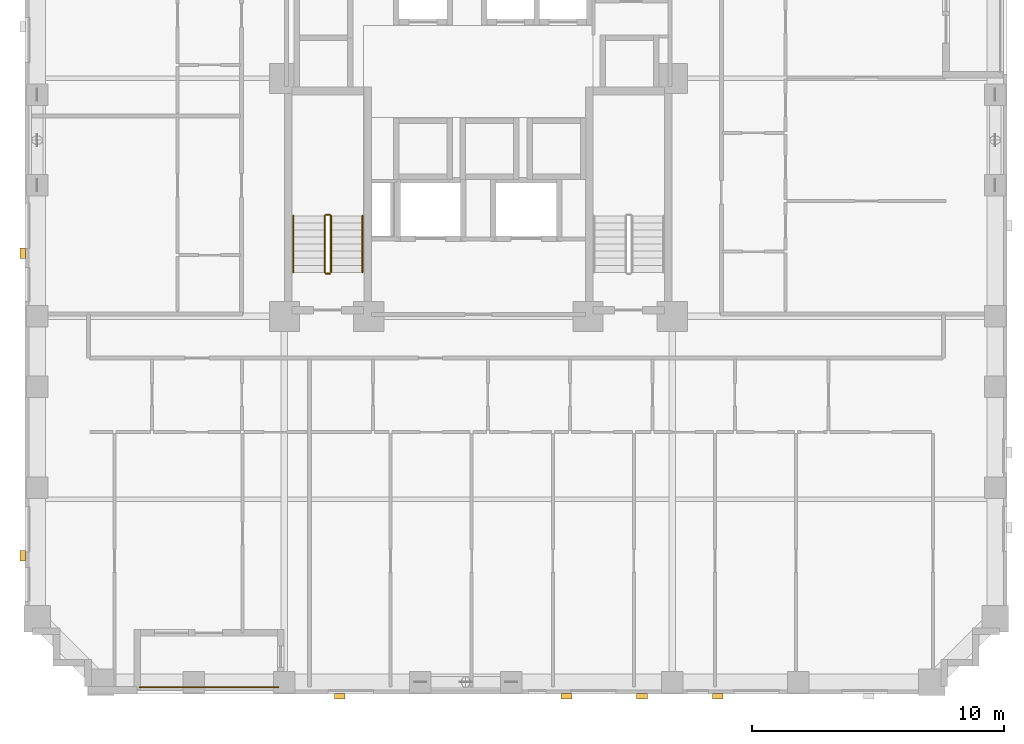
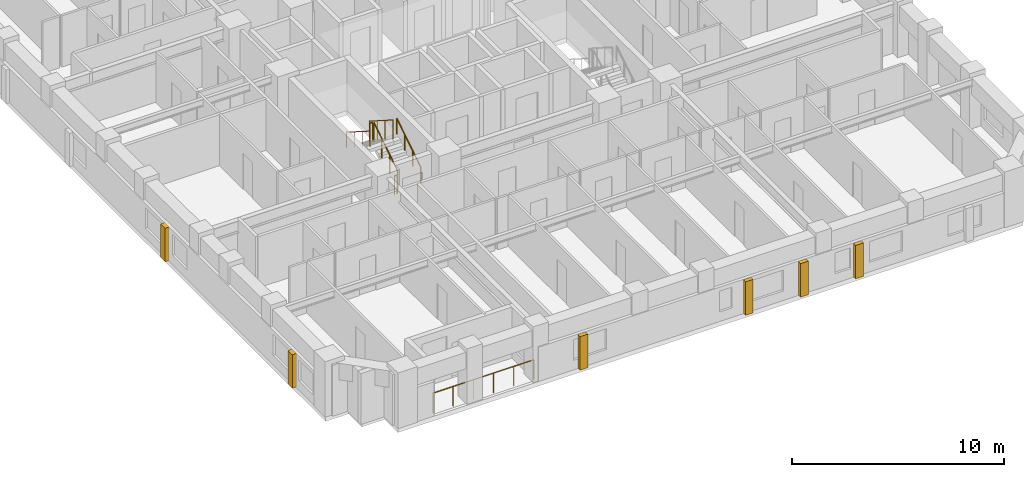
# One storey, part 12 of 14: 7 railings, 6 coverings.
"""IFC4 building model written with IfcOpenShell, lengths in metres."""

from ifc_helpers import new_model, si_unit, derived_unit, direction, frame, origin, origin_2d, place, context, subcontext, project, spatial, rectangle, circle, extrude, material, layer, layer_set, type_object, element, save


model = new_model("IFC4")

# Units and contexts
model_context = context("Model", 3, precision=1e-05, world=origin(), true_north=direction((0.0, 1.0)))
body_context = subcontext(model_context, "Body", "Model", "MODEL_VIEW")
ifc_project = project(units=[si_unit("LENGTHUNIT", "METRE"), si_unit("AREAUNIT", "SQUARE_METRE"), si_unit("VOLUMEUNIT", "CUBIC_METRE"), si_unit("PLANEANGLEUNIT", "RADIAN"), si_unit("MASSUNIT", "GRAM", prefix="KILO"), derived_unit("THERMALTRANSMITTANCEUNIT", [(si_unit("MASSUNIT", "GRAM", prefix="KILO"), 1), (si_unit("TIMEUNIT", "SECOND"), -3), (si_unit("THERMODYNAMICTEMPERATUREUNIT", "KELVIN"), -1)])], contexts=[model_context])

# Site, building, storey
site_placement = place(None, origin())
site = spatial("IfcSite", under=ifc_project, at=site_placement, CompositionType="ELEMENT")
building_placement = place(site_placement, origin())
building = spatial("IfcBuilding", under=site, at=building_placement, Name="Korrvale Station Residences", CompositionType="ELEMENT")
storey_placement = place(building_placement, frame((0.0, 0.0, 61.0)))
storey = spatial("IfcBuildingStorey", under=building, at=storey_placement, Name="L16", CompositionType="ELEMENT", Elevation=61.0)

# Coverings
ifc_material_1 = material(Name="Architectural precast concrete C45/55", Category="concrete")
ifc_layer = layer(ifc_material_1, 0.219970703125, Name="Architectural precast concrete C45/55")
ifc_layer_set = layer_set([ifc_layer], Name="Architectural precast concrete C45/55")
covering_type = type_object("IfcCoveringType", Name="COV-PIER-400", PredefinedType="CLADDING", material=ifc_layer_set)
for number, where, z_axis, x_axis, name in (
    (1, (35.0, -0.090087890625, 0.02490234375), (0.0, 0.0, 1.0), (1.0, 0.0, 0.0), "L16 Architectural Precast Facade Pier 02"),
    (2, (32.0, -0.090087890625, 0.02490234375), (0.0, 0.0, 1.0), (1.0, 0.0, 0.0), "L16 Architectural Precast Facade Pier 03"),
    (3, (29.0, -0.090087890625, 0.02490234375), (0.0, 0.0, 1.0), (1.0, 0.0, 0.0), "L16 Architectural Precast Facade Pier 04"),
    (4, (20.0, -0.090087890625, 0.02490234375), (0.0, 0.0, 1.0), (1.0, 0.0, 0.0), "L16 Architectural Precast Facade Pier 05"),
    (5, (7.409912109375, 5.5, 0.02490234375), (0.0, 0.0, 1.0), (0.0, 1.0, 0.0), "L16 Architectural Precast Facade Pier 12"),
    (6, (7.409912109375, 17.5, 0.02490234375), (0.0, 0.0, 1.0), (0.0, 1.0, 0.0), "L16 Architectural Precast Facade Pier 13"),
):
    element("IfcCovering", number, at=place(storey_placement, frame(where, z_axis=z_axis, x_axis=x_axis)), inside=storey, type_object=covering_type, Name=name, PredefinedType="CLADDING", context=body_context, shape_type="SweptSolid", body=[
        extrude(rectangle(XDim=0.419921875, YDim=0.219970703125, at=origin_2d()), origin(), (0.0, 0.0, 1.0), 1.925048828125),
    ])

# Railings
ifc_material_2 = material(Name="Powder-coated aluminium picket loggia guard", Category="aluminium")
railing_type_1 = type_object("IfcRailingType", Name="RLG-BAL-1150", PredefinedType="GUARDRAIL", material=ifc_material_2)
railing_1_placement = place(storey_placement, frame((12.050048828125, 0.27001953125, 0.0)))
element("IfcRailing", 7, at=railing_1_placement, inside=storey, type_object=railing_type_1, Name="L16 Recessed Loggia Guardrail BAL-L16-S1", PredefinedType="GUARDRAIL", context=body_context, shape_type="SweptSolid", body=[
    extrude(circle(Radius=0.02392578125, at=origin_2d()), frame((0.0, 0.0, 1.1259765625), z_axis=(1.0, 0.0, 0.0), x_axis=(0.0, 1.0, 0.0)), (0.0, 0.0, 1.0), 5.5),
    extrude(circle(Radius=0.02099609375, at=origin_2d()), origin(), (0.0, 0.0, 1.0), 1.101806640625),
    extrude(circle(Radius=0.02099609375, at=origin_2d()), frame((1.10009765625, 0.0, 0.0)), (0.0, 0.0, 1.0), 1.101806640625),
    extrude(circle(Radius=0.02099609375, at=origin_2d()), frame((2.199951171875, 0.0, 0.0)), (0.0, 0.0, 1.0), 1.101806640625),
    extrude(circle(Radius=0.02099609375, at=origin_2d()), frame((3.300048828125, 0.0, 0.0)), (0.0, 0.0, 1.0), 1.101806640625),
    extrude(circle(Radius=0.02099609375, at=origin_2d()), frame((4.39990234375, 0.0, 0.0)), (0.0, 0.0, 1.0), 1.101806640625),
    extrude(circle(Radius=0.02099609375, at=origin_2d()), frame((5.5, 0.0, 0.0)), (0.0, 0.0, 1.0), 1.101806640625),
])
ifc_material_3 = material(Name="Brushed stainless-steel continuous stair handrail", Category="steel")
railing_type_2 = type_object("IfcRailingType", Name="RLG-SHND-900", PredefinedType="HANDRAIL", material=ifc_material_3)
railing_2_placement = place(storey_placement, frame((20.89990234375, 16.75, 0.177734375)))
element("IfcRailing", 8, at=railing_2_placement, inside=storey, type_object=railing_type_2, Name="L16 ST-1 stair handrail 1", PredefinedType="HANDRAIL", context=body_context, shape_type="SweptSolid", body=[
    extrude(circle(Radius=0.02392578125, at=origin_2d()), frame((0.0, 0.0, 0.8759765625), z_axis=(0.0, 0.84418770128, 0.536047689118), x_axis=(-1.0, 0.0, 0.0)), (0.0, 0.0, 1.0), 2.6533203125),
    extrude(circle(Radius=0.02099609375, at=origin_2d()), origin(), (0.0, 0.0, 1.0), 0.851806640625),
    extrude(circle(Radius=0.02099609375, at=origin_2d()), frame((0.0, 0.74658203125, 0.47412109375)), (0.0, 0.0, 1.0), 0.851806640625),
    extrude(circle(Radius=0.02099609375, at=origin_2d()), frame((0.0, 1.493408203125, 0.9482421875)), (0.0, 0.0, 1.0), 0.851806640625),
    extrude(circle(Radius=0.02099609375, at=origin_2d()), frame((0.0, 2.239990234375, 1.42236328125)), (0.0, 0.0, 1.0), 0.851806640625),
])
railing_3_placement = place(storey_placement, frame((18.14990234375, 18.989990234375, 1.77783203125)))
element("IfcRailing", 9, at=railing_3_placement, inside=storey, type_object=railing_type_2, Name="L16 ST-1 stair handrail 2", PredefinedType="HANDRAIL", context=body_context, shape_type="SweptSolid", body=[
    extrude(circle(Radius=0.02392578125, at=origin_2d()), frame((0.0, 0.0, 0.8759765625), z_axis=(0.0, -0.8442293374, 0.53598211339), x_axis=(1.0, 0.0, 0.0)), (0.0, 0.0, 1.0), 2.6533203125),
    extrude(circle(Radius=0.02099609375, at=origin_2d()), origin(), (0.0, 0.0, 1.0), 0.851806640625),
    extrude(circle(Radius=0.02099609375, at=origin_2d()), frame((0.0, -0.74658203125, 0.47412109375)), (0.0, 0.0, 1.0), 0.851806640625),
    extrude(circle(Radius=0.02099609375, at=origin_2d()), frame((0.0, -1.493408203125, 0.947998046875)), (0.0, 0.0, 1.0), 0.851806640625),
    extrude(circle(Radius=0.02099609375, at=origin_2d()), frame((0.0, -2.239990234375, 1.422119140625)), (0.0, 0.0, 1.0), 0.851806640625),
])
ifc_material_4 = material(Name="Galvanised painted tubular steel stair guard", Category="steel")
railing_type_3 = type_object("IfcRailingType", Name="RLG-STR-1100", PredefinedType="GUARDRAIL", material=ifc_material_4)
railing_4_placement = place(storey_placement, frame((19.64990234375, 16.75, 0.177734375)))
element("IfcRailing", 10, at=railing_4_placement, inside=storey, type_object=railing_type_3, Name="L16 ST-1 stair guard 1", PredefinedType="GUARDRAIL", context=body_context, shape_type="SweptSolid", body=[
    extrude(circle(Radius=0.02392578125, at=origin_2d()), frame((0.0, 0.0, 1.076171875), z_axis=(0.0, 0.84418770128, 0.536047689118), x_axis=(-1.0, 0.0, 0.0)), (0.0, 0.0, 1.0), 2.6533203125),
    extrude(circle(Radius=0.02099609375, at=origin_2d()), origin(), (0.0, 0.0, 1.0), 1.052001953125),
    extrude(circle(Radius=0.02099609375, at=origin_2d()), frame((0.0, 0.74658203125, 0.47412109375)), (0.0, 0.0, 1.0), 1.052001953125),
    extrude(circle(Radius=0.02099609375, at=origin_2d()), frame((0.0, 1.493408203125, 0.9482421875)), (0.0, 0.0, 1.0), 1.052001953125),
    extrude(circle(Radius=0.02099609375, at=origin_2d()), frame((0.0, 2.239990234375, 1.42236328125)), (0.0, 0.0, 1.0), 1.052001953125),
])
railing_5_placement = place(storey_placement, frame((19.60009765625, 19.0400390625, 1.60009765625)))
element("IfcRailing", 11, at=railing_5_placement, inside=storey, type_object=railing_type_3, Name="L16 ST-1 stair guard 2", PredefinedType="GUARDRAIL", context=body_context, shape_type="SweptSolid", body=[
    extrude(circle(Radius=0.02392578125, at=origin_2d()), frame((0.0, 0.0, 1.076171875), z_axis=(-1.0, 0.0, 0.0), x_axis=(0.0, -1.0, 0.0)), (0.0, 0.0, 1.0), 0.150146484375),
    extrude(circle(Radius=0.02099609375, at=origin_2d()), origin(), (0.0, 0.0, 1.0), 1.052001953125),
    extrude(circle(Radius=0.02099609375, at=origin_2d()), frame((-0.150146484375, 0.0, 0.0)), (0.0, 0.0, 1.0), 1.052001953125),
])
railing_6_placement = place(storey_placement, frame((19.39990234375, 18.989990234375, 1.77783203125)))
element("IfcRailing", 12, at=railing_6_placement, inside=storey, type_object=railing_type_3, Name="L16 ST-1 stair guard 3", PredefinedType="GUARDRAIL", context=body_context, shape_type="SweptSolid", body=[
    extrude(circle(Radius=0.02392578125, at=origin_2d()), frame((0.0, 0.0, 1.076171875), z_axis=(0.0, -0.8442293374, 0.53598211339), x_axis=(1.0, 0.0, 0.0)), (0.0, 0.0, 1.0), 2.6533203125),
    extrude(circle(Radius=0.02099609375, at=origin_2d()), origin(), (0.0, 0.0, 1.0), 1.052001953125),
    extrude(circle(Radius=0.02099609375, at=origin_2d()), frame((0.0, -0.74658203125, 0.47412109375)), (0.0, 0.0, 1.0), 1.052001953125),
    extrude(circle(Radius=0.02099609375, at=origin_2d()), frame((0.0, -1.493408203125, 0.947998046875)), (0.0, 0.0, 1.0), 1.052001953125),
    extrude(circle(Radius=0.02099609375, at=origin_2d()), frame((0.0, -2.239990234375, 1.422119140625)), (0.0, 0.0, 1.0), 1.052001953125),
])
railing_7_placement = place(storey_placement, frame((19.60009765625, 16.699951171875, 0.0)))
element("IfcRailing", 13, at=railing_7_placement, inside=storey, type_object=railing_type_3, Name="L16 ST-1 stair guard 4", PredefinedType="GUARDRAIL", context=body_context, shape_type="SweptSolid", body=[
    extrude(circle(Radius=0.02392578125, at=origin_2d()), frame((0.0, 0.0, 1.076171875), z_axis=(-1.0, 0.0, 0.0), x_axis=(0.0, -1.0, 0.0)), (0.0, 0.0, 1.0), 0.150146484375),
    extrude(circle(Radius=0.02099609375, at=origin_2d()), origin(), (0.0, 0.0, 1.0), 1.052001953125),
    extrude(circle(Radius=0.02099609375, at=origin_2d()), frame((-0.150146484375, 0.0, 0.0)), (0.0, 0.0, 1.0), 1.052001953125),
])

save(model, "model.ifc")
